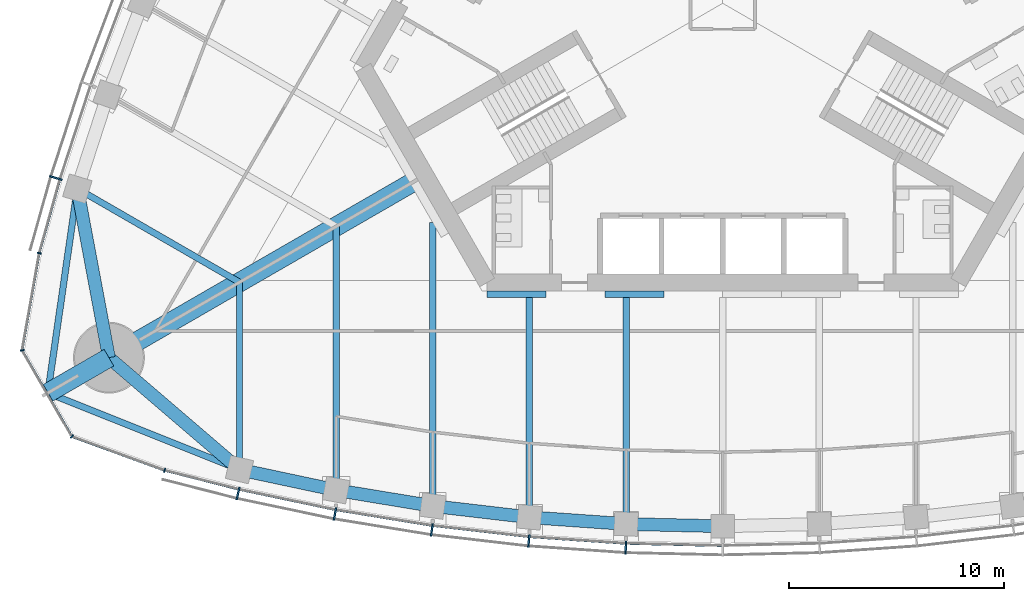
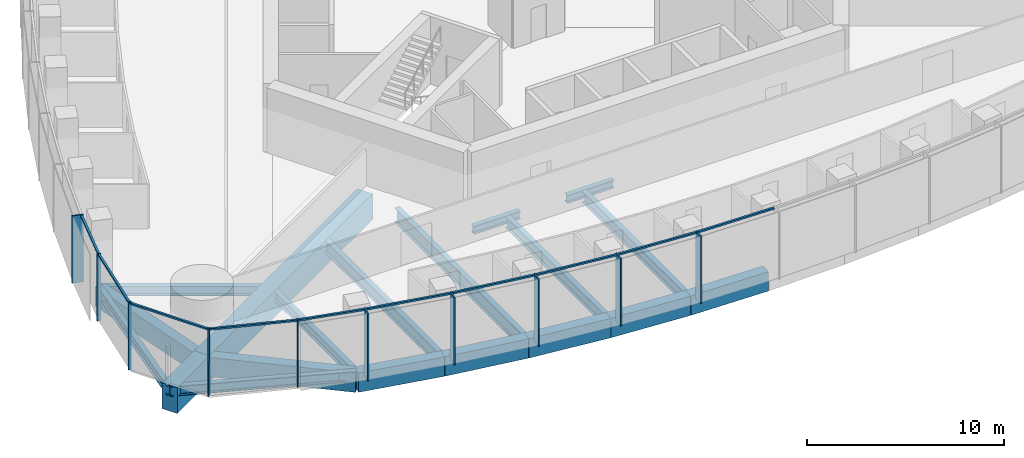
# One storey, part 2 of 20: 20 members, 19 beams, 3 elements without a shape of their own.
"""IFC4 building model written with IfcOpenShell, lengths in metres."""

from ifc_helpers import new_model, si_unit, direction, frame, origin, origin_2d, place, context, subcontext, project, spatial, rectangle, i_section, extrude, material, material_profile, profile_set, type_object, element, aggregate, save


model = new_model("IFC4")

# Units and contexts
model_context = context("Model", 3, precision=1e-05, world=origin(), true_north=direction((0.0, 1.0)))
body_context = subcontext(model_context, "Body", "Model", "MODEL_VIEW")
ifc_project = project(units=[si_unit("LENGTHUNIT", "METRE"), si_unit("AREAUNIT", "SQUARE_METRE"), si_unit("VOLUMEUNIT", "CUBIC_METRE"), si_unit("PLANEANGLEUNIT", "RADIAN"), si_unit("MASSUNIT", "GRAM", prefix="KILO")], contexts=[model_context])

# Site, building, storey
site_placement = place(None, origin())
site = spatial("IfcSite", under=ifc_project, at=site_placement, CompositionType="ELEMENT")
building_placement = place(site_placement, origin())
building = spatial("IfcBuilding", under=site, at=building_placement, Name="Trefoil Bronze Tower", CompositionType="ELEMENT")
storey_placement = place(building_placement, frame((0.0, 0.0, 219.10009765625)))
storey = spatial("IfcBuildingStorey", under=building, at=storey_placement, Name="L50", CompositionType="ELEMENT", Elevation=219.10009765625)

# Curtain wall, members
ifc_material_1 = material(Name="Tinted solar-control glass", Category="glass")
curtain_wall_type_1 = type_object("IfcCurtainWallType", Name="Bronze office curtain wall", PredefinedType="USERDEFINED", material=ifc_material_1)
curtain_wall_1_placement = place(storey_placement, origin())
curtain_wall_1 = element("IfcCurtainWall", 1, at=curtain_wall_1_placement, inside=storey, type_object=curtain_wall_type_1, Name="CW-A L50 F1", ObjectType="CURTAIN WALL", PredefinedType="USERDEFINED")
ifc_material_2 = material(Name="Bronze-finish aluminium", Category="aluminium")
ifc_material_profile_1 = material_profile(ifc_material_2, rectangle(XDim=0.60009765625, YDim=0.080078125, at=origin_2d()), Name="CW-A mullion")
ifc_profile_set_1 = profile_set([ifc_material_profile_1], Name="Bronze-finish aluminium")
member_type_1 = type_object("IfcMemberType", Name="Bronze office curtain wall mullion", PredefinedType="MULLION", material=ifc_profile_set_1)
member_1_placement = place(storey_placement, frame((-22.568115234375, -22.82421875, 0.0), z_axis=(0.0, 0.0, 1.0), x_axis=(0.227082662569, 0.973875487093, 0.0)))
member_1 = element("IfcMember", 2, at=member_1_placement, type_object=member_type_1, Name="CW-A L50 F1 mullion 2", PredefinedType="MULLION", context=body_context, shape_type="SweptSolid", body=[
    extrude(rectangle(XDim=0.60009765625, YDim=0.080078125, at=origin_2d()), origin(), (0.0, 0.0, 1.0), 4.179931640625),
])
member_2_placement = place(storey_placement, frame((-18.05517578125, -23.77783203125, 0.0), z_axis=(0.0, 0.0, 1.0), x_axis=(0.183825368167, 0.982958917767, 0.0)))
member_2 = element("IfcMember", 3, at=member_2_placement, type_object=member_type_1, Name="CW-A L50 F1 mullion 3", PredefinedType="MULLION", context=body_context, shape_type="SweptSolid", body=[
    extrude(rectangle(XDim=0.60009765625, YDim=0.080078125, at=origin_2d()), origin(), (0.0, 0.0, 1.0), 4.179931640625),
])
member_3_placement = place(storey_placement, frame((-13.541259765625, -24.51318359375, 0.0), z_axis=(0.0, 0.0, 1.0), x_axis=(0.137867887204, 0.990450627582, 0.0)))
member_3 = element("IfcMember", 4, at=member_3_placement, type_object=member_type_1, Name="CW-A L50 F1 mullion 4", PredefinedType="MULLION", context=body_context, shape_type="SweptSolid", body=[
    extrude(rectangle(XDim=0.60009765625, YDim=0.080078125, at=origin_2d()), origin(), (0.0, 0.0, 1.0), 4.179931640625),
])
member_4_placement = place(storey_placement, frame((-9.027587890625, -25.03515625, 0.0), z_axis=(0.0, 0.0, 1.0), x_axis=(0.091911396394, 0.995767189263, 0.0)))
member_4 = element("IfcMember", 5, at=member_4_placement, type_object=member_type_1, Name="CW-A L50 F1 mullion 5", PredefinedType="MULLION", context=body_context, shape_type="SweptSolid", body=[
    extrude(rectangle(XDim=0.60009765625, YDim=0.080078125, at=origin_2d()), origin(), (0.0, 0.0, 1.0), 4.179931640625),
])
member_5_placement = place(storey_placement, frame((-4.513671875, -25.346923828125, 0.0), z_axis=(0.0, 0.0, 1.0), x_axis=(0.045955542372, 0.998943485952, 0.0)))
member_5 = element("IfcMember", 6, at=member_5_placement, type_object=member_type_1, Name="CW-A L50 F1 mullion 6", PredefinedType="MULLION", context=body_context, shape_type="SweptSolid", body=[
    extrude(rectangle(XDim=0.60009765625, YDim=0.080078125, at=origin_2d()), origin(), (0.0, 0.0, 1.0), 4.179931640625),
])

# Curtain wall, member
curtain_wall_2_placement = place(storey_placement, origin())
curtain_wall_2 = element("IfcCurtainWall", 7, at=curtain_wall_2_placement, inside=storey, type_object=curtain_wall_type_1, Name="CW-A L50 F3", ObjectType="CURTAIN WALL", PredefinedType="USERDEFINED")
member_6_placement = place(storey_placement, frame((-31.05029296875, -8.132568359375, 0.0), z_axis=(0.0, 0.0, 1.0), x_axis=(0.95694224323, -0.290278389002, 0.0)))
member_6 = element("IfcMember", 8, at=member_6_placement, type_object=member_type_1, Name="CW-A L50 F3 mullion 12", PredefinedType="MULLION", context=body_context, shape_type="SweptSolid", body=[
    extrude(rectangle(XDim=0.60009765625, YDim=0.080078125, at=origin_2d()), origin(), (0.0, 0.0, 1.0), 4.179931640625),
])

# Member
ifc_material_3 = material(Name="Bronze-finish aluminium", Category="aluminium")
ifc_material_profile_2 = material_profile(ifc_material_3, rectangle(XDim=0.1201171875, YDim=0.10009765625, at=origin_2d()), Name="CW-A transom")
ifc_profile_set_2 = profile_set([ifc_material_profile_2], Name="Bronze-finish aluminium")
member_type_2 = type_object("IfcMemberType", Name="Bronze office curtain wall transom", PredefinedType="USERDEFINED", material=ifc_profile_set_2)
member_7_placement = place(storey_placement, frame((-25.93896484375, -21.75732421875, 4.1298828125), z_axis=(0.968935220916, -0.247314653162, 0.0), x_axis=(0.247314653162, 0.968935220916, 0.0)))
member_7 = element("IfcMember", 9, at=member_7_placement, type_object=member_type_2, Name="CW-A L50 F1 transom 1", ObjectType="TRANSOM", PredefinedType="USERDEFINED", context=body_context, shape_type="SweptSolid", body=[
    extrude(rectangle(XDim=0.1201171875, YDim=0.10009765625, at=origin_2d()), origin(), (0.0, 0.0, 1.0), 3.483642578125),
])

member_8_placement = place(storey_placement, frame((-22.4814453125, -22.63818359375, 4.1298828125), z_axis=(0.978395325657, -0.20674280334, 0.0), x_axis=(0.20674280334, 0.978395325657, 0.0)))
member_8 = element("IfcMember", 10, at=member_8_placement, type_object=member_type_2, Name="CW-A L50 F1 transom 2", ObjectType="TRANSOM", PredefinedType="USERDEFINED", context=body_context, shape_type="SweptSolid", body=[
    extrude(rectangle(XDim=0.1201171875, YDim=0.10009765625, at=origin_2d()), origin(), (0.0, 0.0, 1.0), 4.519287109375),
])

member_9_placement = place(storey_placement, frame((-17.9765625, -23.588134765625, 4.1298828125), z_axis=(0.986988367046, -0.160791676761, 0.0), x_axis=(0.160791676761, 0.986988367046, 0.0)))
member_9 = element("IfcMember", 11, at=member_9_placement, type_object=member_type_2, Name="CW-A L50 F1 transom 3", ObjectType="TRANSOM", PredefinedType="USERDEFINED", context=body_context, shape_type="SweptSolid", body=[
    extrude(rectangle(XDim=0.1201171875, YDim=0.10009765625, at=origin_2d()), origin(), (0.0, 0.0, 1.0), 4.479248046875),
])

member_10_placement = place(storey_placement, frame((-13.4716796875, -24.320068359375, 4.1298828125), z_axis=(0.993384885596, -0.114832352013, 0.0), x_axis=(0.114832352013, 0.993384885596, 0.0)))
member_10 = element("IfcMember", 12, at=member_10_placement, type_object=member_type_2, Name="CW-A L50 F1 transom 4", ObjectType="TRANSOM", PredefinedType="USERDEFINED", context=body_context, shape_type="SweptSolid", body=[
    extrude(rectangle(XDim=0.1201171875, YDim=0.10009765625, at=origin_2d()), origin(), (0.0, 0.0, 1.0), 4.449951171875),
])

member_11_placement = place(storey_placement, frame((-8.967041015625, -24.8388671875, 4.1298828125), z_axis=(0.997621320987, -0.06893257512, 0.0), x_axis=(0.06893257512, 0.997621320987, 0.0)))
member_11 = element("IfcMember", 13, at=member_11_placement, type_object=member_type_2, Name="CW-A L50 F1 transom 5", ObjectType="TRANSOM", PredefinedType="USERDEFINED", context=body_context, shape_type="SweptSolid", body=[
    extrude(rectangle(XDim=0.1201171875, YDim=0.10009765625, at=origin_2d()), origin(), (0.0, 0.0, 1.0), 4.4306640625),
])

member_12_placement = place(storey_placement, frame((-4.46240234375, -25.148193359375, 4.1298828125), z_axis=(0.999736131416, -0.022971015226, 0.0), x_axis=(0.022971015226, 0.999736131416, 0.0)))
member_12 = element("IfcMember", 14, at=member_12_placement, type_object=member_type_2, Name="CW-A L50 F1 transom 6", ObjectType="TRANSOM", PredefinedType="USERDEFINED", context=body_context, shape_type="SweptSolid", body=[
    extrude(rectangle(XDim=0.1201171875, YDim=0.10009765625, at=origin_2d()), origin(), (0.0, 0.0, 1.0), 4.42138671875),
])

aggregate(curtain_wall_1, [member_1, member_2, member_3, member_4, member_5, member_7, member_8, member_9, member_10, member_11, member_12])

member_13_placement = place(storey_placement, frame((-30.870361328125, -8.23095703125, 4.1298828125), z_axis=(-0.270284880437, -0.962780392097, 0.0), x_axis=(0.962780392097, -0.270284880437, 0.0)))
member_13 = element("IfcMember", 15, at=member_13_placement, type_object=member_type_2, Name="CW-A L50 F3 transom 12", ObjectType="TRANSOM", PredefinedType="USERDEFINED", context=body_context, shape_type="SweptSolid", body=[
    extrude(rectangle(XDim=0.1201171875, YDim=0.10009765625, at=origin_2d()), origin(), (0.0, 0.0, 1.0), 3.48388671875),
])

aggregate(curtain_wall_2, [member_6, member_13])

# Curtain wall, members
ifc_material_4 = material(Name="Tinted solar-control glass", Category="glass")
curtain_wall_type_2 = type_object("IfcCurtainWallType", Name="Bronze rounded corner curtain wall", PredefinedType="USERDEFINED", material=ifc_material_4)
curtain_wall_3_placement = place(storey_placement, origin())
curtain_wall_3 = element("IfcCurtainWall", 16, at=curtain_wall_3_placement, inside=storey, type_object=curtain_wall_type_2, Name="CW-B L50 K3", ObjectType="CURTAIN WALL", PredefinedType="USERDEFINED")
ifc_material_5 = material(Name="Bronze-finish aluminium", Category="aluminium")
ifc_material_profile_3 = material_profile(ifc_material_5, rectangle(XDim=0.199951171875, YDim=0.06005859375, at=origin_2d()), Name="CW-B mullion")
ifc_profile_set_3 = profile_set([ifc_material_profile_3], Name="Bronze-finish aluminium")
member_type_3 = type_object("IfcMemberType", Name="Bronze rounded corner curtain wall mullion", PredefinedType="MULLION", material=ifc_profile_set_3)
member_14_placement = place(storey_placement, frame((-31.824951171875, -11.63330078125, 0.0), z_axis=(0.0, 0.0, 1.0), x_axis=(0.984807753012, -0.173648177667, 0.0)))
member_14 = element("IfcMember", 17, at=member_14_placement, type_object=member_type_3, Name="CW-B L50 K3 mullion 1", PredefinedType="MULLION", context=body_context, shape_type="SweptSolid", body=[
    extrude(rectangle(XDim=0.199951171875, YDim=0.06005859375, at=origin_2d()), origin(), (0.0, 0.0, 1.0), 4.179931640625),
])
member_15_placement = place(storey_placement, frame((-32.616943359375, -16.158935546875, 0.0), z_axis=(0.0, 0.0, 1.0), x_axis=(0.984807753012, 0.173648177667, 0.0)))
member_15 = element("IfcMember", 18, at=member_15_placement, type_object=member_type_3, Name="CW-B L50 K3 mullion 2", PredefinedType="MULLION", context=body_context, shape_type="SweptSolid", body=[
    extrude(rectangle(XDim=0.199951171875, YDim=0.06005859375, at=origin_2d()), origin(), (0.0, 0.0, 1.0), 4.179931640625),
])
member_16_placement = place(storey_placement, frame((-30.302490234375, -20.16748046875, 0.0), z_axis=(0.0, 0.0, 1.0), x_axis=(0.642787609687, 0.766044443119, 0.0)))
member_16 = element("IfcMember", 19, at=member_16_placement, type_object=member_type_3, Name="CW-B L50 K3 mullion 3", PredefinedType="MULLION", context=body_context, shape_type="SweptSolid", body=[
    extrude(rectangle(XDim=0.199951171875, YDim=0.06005859375, at=origin_2d()), origin(), (0.0, 0.0, 1.0), 4.179931640625),
])
member_17_placement = place(storey_placement, frame((-25.9873046875, -21.74462890625, 0.0), z_axis=(0.0, 0.0, 1.0), x_axis=(0.342020143326, 0.939692620786, 0.0)))
member_17 = element("IfcMember", 20, at=member_17_placement, type_object=member_type_3, Name="CW-B L50 K3 mullion 4", PredefinedType="MULLION", context=body_context, shape_type="SweptSolid", body=[
    extrude(rectangle(XDim=0.199951171875, YDim=0.06005859375, at=origin_2d()), origin(), (0.0, 0.0, 1.0), 4.179931640625),
])
ifc_material_6 = material(Name="Bronze-finish aluminium", Category="aluminium")
ifc_material_profile_4 = material_profile(ifc_material_6, rectangle(XDim=0.1201171875, YDim=0.10009765625, at=origin_2d()), Name="CW-B transom")
ifc_profile_set_4 = profile_set([ifc_material_profile_4], Name="Bronze-finish aluminium")
member_type_4 = type_object("IfcMemberType", Name="Bronze rounded corner curtain wall transom", PredefinedType="USERDEFINED", material=ifc_profile_set_4)
member_18_placement = place(storey_placement, frame((-31.830078125, -11.662841796875, 4.1298828125), z_axis=(-0.173655350028, -0.984806488304, 0.0), x_axis=(0.984806488304, -0.173655350028, 0.0)))
member_18 = element("IfcMember", 21, at=member_18_placement, type_object=member_type_4, Name="CW-B L50 K3 transom 1", ObjectType="TRANSOM", PredefinedType="USERDEFINED", context=body_context, shape_type="SweptSolid", body=[
    extrude(rectangle(XDim=0.1201171875, YDim=0.10009765625, at=origin_2d()), origin(), (0.0, 0.0, 1.0), 4.500244140625),
])
member_19_placement = place(storey_placement, frame((-32.590087890625, -16.217529296875, 4.1298828125), z_axis=(0.500007335828, -0.866021168401, 0.0), x_axis=(0.866021168401, 0.500007335828, 0.0)))
member_19 = element("IfcMember", 22, at=member_19_placement, type_object=member_type_4, Name="CW-B L50 K3 transom 2", ObjectType="TRANSOM", PredefinedType="USERDEFINED", context=body_context, shape_type="SweptSolid", body=[
    extrude(rectangle(XDim=0.1201171875, YDim=0.10009765625, at=origin_2d()), origin(), (0.0, 0.0, 1.0), 4.50048828125),
])
member_20_placement = place(storey_placement, frame((-30.244140625, -20.195068359375, 4.1298828125), z_axis=(0.939680910753, -0.342052314664, 0.0), x_axis=(0.342052314664, 0.939680910753, 0.0)))
member_20 = element("IfcMember", 23, at=member_20_placement, type_object=member_type_4, Name="CW-B L50 K3 transom 3", ObjectType="TRANSOM", PredefinedType="USERDEFINED", context=body_context, shape_type="SweptSolid", body=[
    extrude(rectangle(XDim=0.1201171875, YDim=0.10009765625, at=origin_2d()), origin(), (0.0, 0.0, 1.0), 4.500244140625),
])
aggregate(curtain_wall_3, [member_14, member_15, member_16, member_17, member_18, member_19, member_20])

# Beams
ifc_material_7 = material(Name="Steel C355", Category="steel")
ifc_material_profile_5 = material_profile(ifc_material_7, i_section(OverallWidth=0.300048828125, OverallDepth=0.5, WebThickness=0.014404296875, FlangeThickness=0.028076171875, FilletRadius=0.027099609375, at=origin_2d()), Name="HEB 500")
ifc_profile_set_5 = profile_set([ifc_material_profile_5], Name="Steel C355")
beam_type_1 = type_object("IfcBeamType", Name="Core seat beam HEB 500", PredefinedType="BEAM", material=ifc_profile_set_5)
for number, where, z_axis, x_axis, name in (
    (24, (-10.9697265625, -13.550048828125, -0.4501953125), (1.0, 0.0, 0.0), (0.0, 1.0, 0.0), "Core seat beam F1/-2 L50"),
    (25, (-5.48486328125, -13.550048828125, -0.4501953125), (1.0, 0.0, 0.0), (0.0, 1.0, 0.0), "Core seat beam F1/-1 L50"),
):
    element("IfcBeam", number, at=place(storey_placement, frame(where, z_axis=z_axis, x_axis=x_axis)), inside=storey, type_object=beam_type_1, Name=name, PredefinedType="BEAM", context=body_context, shape_type="SweptSolid", body=[
        extrude(i_section(OverallWidth=0.300048828125, OverallDepth=0.5, WebThickness=0.014404296875, FlangeThickness=0.028076171875, FilletRadius=0.027099609375, at=origin_2d()), origin(), (0.0, 0.0, 1.0), 2.742431640625),
    ])
ifc_material_8 = material(Name="Concrete B80", Category="concrete")
ifc_material_profile_6 = material_profile(ifc_material_8, rectangle(XDim=0.89990234375, YDim=1.60009765625, at=origin_2d()), Name="RC 900x1600")
ifc_profile_set_6 = profile_set([ifc_material_profile_6], Name="Concrete B80")
beam_type_2 = type_object("IfcBeamType", Name="Corner cantilever RC 900x1600", PredefinedType="BEAM", material=ifc_profile_set_6)
beam_1_placement = place(storey_placement, frame((-28.578857421875, -16.5, -1.0), z_axis=(-0.866016004958, -0.500016278891, 0.0), x_axis=(0.500016278891, -0.866016004958, 0.0)))
element("IfcBeam", 26, at=beam_1_placement, inside=storey, type_object=beam_type_2, Name="Corner cantilever K3 L50", PredefinedType="BEAM", context=body_context, shape_type="SweptSolid", body=[
    extrude(rectangle(XDim=0.89990234375, YDim=1.60009765625, at=origin_2d()), origin(), (0.0, 0.0, 1.0), 3.28466796875),
])
ifc_material_9 = material(Name="Steel C355", Category="steel")
ifc_material_profile_7 = material_profile(ifc_material_9, i_section(OverallWidth=0.300048828125, OverallDepth=0.60009765625, WebThickness=0.015380859375, FlangeThickness=0.030029296875, FilletRadius=0.027099609375, at=origin_2d()), Name="HEB 600")
ifc_profile_set_7 = profile_set([ifc_material_profile_7], Name="Steel C355")
beam_type_3 = type_object("IfcBeamType", Name="Corner edge beam HEB 600", PredefinedType="BEAM", material=ifc_profile_set_7)
for number, where, z_axis, x_axis, name in (
    (27, (-22.5, -21.71044921875, -0.5), (-0.92852048463, 0.371281173266, 0.0), (-0.371281173266, -0.92852048463, 0.0), "Corner edge beam F1B L50"),
    (28, (-30.052001953125, -8.63037109375, -0.5), (-0.142694489722, -0.989766781925, 0.0), (0.989766781925, -0.142694489722, 0.0), "Corner edge beam F3A L50"),
):
    element("IfcBeam", number, at=place(storey_placement, frame(where, z_axis=z_axis, x_axis=x_axis)), inside=storey, type_object=beam_type_3, Name=name, PredefinedType="BEAM", context=body_context, shape_type="SweptSolid", body=[
        extrude(i_section(OverallWidth=0.300048828125, OverallDepth=0.60009765625, WebThickness=0.015380859375, FlangeThickness=0.030029296875, FilletRadius=0.027099609375, at=origin_2d()), origin(), (0.0, 0.0, 1.0), 9.6103515625),
    ])
ifc_material_10 = material(Name="Concrete B80", Category="concrete")
ifc_material_profile_8 = material_profile(ifc_material_10, rectangle(XDim=0.89990234375, YDim=1.60009765625, at=origin_2d()), Name="RC 900x1600")
ifc_profile_set_8 = profile_set([ifc_material_profile_8], Name="Concrete B80")
beam_type_4 = type_object("IfcBeamType", Name="Corner girder RC 900x1600", PredefinedType="BEAM", material=ifc_profile_set_8)
beam_2_placement = place(storey_placement, frame((-14.202880859375, -8.199951171875, -1.0), z_axis=(-0.866023450265, -0.500003383579, 0.0), x_axis=(0.500003383579, -0.866023450265, 0.0)))
element("IfcBeam", 29, at=beam_2_placement, inside=storey, type_object=beam_type_4, Name="Corner girder K3 L50", PredefinedType="BEAM", context=body_context, shape_type="SweptSolid", body=[
    extrude(rectangle(XDim=0.89990234375, YDim=1.60009765625, at=origin_2d()), origin(), (0.0, 0.0, 1.0), 16.60009765625),
])
ifc_material_11 = material(Name="Concrete B80", Category="concrete")
ifc_material_profile_9 = material_profile(ifc_material_11, rectangle(XDim=0.60009765625, YDim=1.199951171875, at=origin_2d()), Name="RC 600x1200")
ifc_profile_set_9 = profile_set([ifc_material_profile_9], Name="Concrete B80")
beam_type_5 = type_object("IfcBeamType", Name="End spandrel beam RC 600x1200", PredefinedType="SPANDREL", material=ifc_profile_set_9)
for number, where, z_axis, x_axis, name in (
    (30, (-28.578857421875, -16.5, -0.800048828125), (0.759256602365, -0.650791373456, 0.0), (0.650791373456, 0.759256602365, 0.0), "Spandrel F1.1 L50"),
    (31, (-30.052001953125, -8.63037109375, -0.800048828125), (0.18399763073, -0.982926686933, 0.0), (0.982926686933, 0.18399763073, 0.0), "Spandrel F3.12 L50"),
):
    element("IfcBeam", number, at=place(storey_placement, frame(where, z_axis=z_axis, x_axis=x_axis)), inside=storey, type_object=beam_type_5, Name=name, PredefinedType="SPANDREL", context=body_context, shape_type="SweptSolid", body=[
        extrude(rectangle(XDim=0.60009765625, YDim=1.199951171875, at=origin_2d()), origin(), (0.0, 0.0, 1.0), 8.00634765625),
    ])
ifc_material_12 = material(Name="Steel C355", Category="steel")
ifc_material_profile_10 = material_profile(ifc_material_12, i_section(OverallWidth=0.300048828125, OverallDepth=0.590087890625, WebThickness=0.012939453125, FlangeThickness=0.02490234375, FilletRadius=0.027099609375, at=origin_2d()), Name="HEA 600")
ifc_profile_set_10 = profile_set([ifc_material_profile_10], Name="Steel C355")
beam_type_6 = type_object("IfcBeamType", Name="Floor beam HEA 600", PredefinedType="BEAM", material=ifc_profile_set_10)
beam_3_placement = place(storey_placement, frame((-22.5, -21.71044921875, -0.4951171875), z_axis=(0.0, 1.0, 0.0), x_axis=(-1.0, 0.0, 0.0)))
element("IfcBeam", 32, at=beam_3_placement, inside=storey, type_object=beam_type_6, Name="Floor beam F1/-5 L50", PredefinedType="BEAM", context=body_context, shape_type="SweptSolid", body=[
    extrude(i_section(OverallWidth=0.300048828125, OverallDepth=0.590087890625, WebThickness=0.012939453125, FlangeThickness=0.02490234375, FilletRadius=0.027099609375, at=origin_2d()), origin(), (0.0, 0.0, 1.0), 8.719970703125),
])
beam_4_placement = place(storey_placement, frame((-30.052001953125, -8.63037109375, -0.4951171875), z_axis=(0.866027535932, -0.499996306993, 0.0), x_axis=(0.499996306993, 0.866027535932, 0.0)))
element("IfcBeam", 33, at=beam_4_placement, inside=storey, type_object=beam_type_6, Name="Floor beam F3/+5 L50", PredefinedType="BEAM", context=body_context, shape_type="SweptSolid", body=[
    extrude(i_section(OverallWidth=0.300048828125, OverallDepth=0.590087890625, WebThickness=0.012939453125, FlangeThickness=0.02490234375, FilletRadius=0.027099609375, at=origin_2d()), origin(), (0.0, 0.0, 1.0), 8.72021484375),
])
ifc_material_13 = material(Name="Steel C355", Category="steel")
ifc_material_profile_11 = material_profile(ifc_material_13, i_section(OverallWidth=0.300048828125, OverallDepth=0.699951171875, WebThickness=0.01708984375, FlangeThickness=0.031982421875, FilletRadius=0.027099609375, at=origin_2d()), Name="HEB 700")
ifc_profile_set_11 = profile_set([ifc_material_profile_11], Name="Steel C355")
beam_type_7 = type_object("IfcBeamType", Name="Floor beam HEB 700", PredefinedType="BEAM", material=ifc_profile_set_11)
beam_5_placement = place(storey_placement, frame((-9.0, -23.932861328125, -0.550048828125), z_axis=(0.0, 1.0, 0.0), x_axis=(-1.0, 0.0, 0.0)))
element("IfcBeam", 34, at=beam_5_placement, inside=storey, type_object=beam_type_7, Name="Floor beam F1/-2 L50", PredefinedType="BEAM", context=body_context, shape_type="SweptSolid", body=[
    extrude(i_section(OverallWidth=0.300048828125, OverallDepth=0.699951171875, WebThickness=0.01708984375, FlangeThickness=0.031982421875, FilletRadius=0.027099609375, at=origin_2d()), origin(), (0.0, 0.0, 1.0), 10.23291015625),
])
beam_6_placement = place(storey_placement, frame((-4.5, -24.246337890625, -0.550048828125), z_axis=(0.0, 1.0, 0.0), x_axis=(-1.0, 0.0, 0.0)))
element("IfcBeam", 35, at=beam_6_placement, inside=storey, type_object=beam_type_7, Name="Floor beam F1/-1 L50", PredefinedType="BEAM", context=body_context, shape_type="SweptSolid", body=[
    extrude(i_section(OverallWidth=0.300048828125, OverallDepth=0.699951171875, WebThickness=0.01708984375, FlangeThickness=0.031982421875, FilletRadius=0.027099609375, at=origin_2d()), origin(), (0.0, 0.0, 1.0), 10.54638671875),
])
ifc_material_14 = material(Name="Steel C355", Category="steel")
ifc_material_profile_12 = material_profile(ifc_material_14, i_section(OverallWidth=0.300048828125, OverallDepth=0.800048828125, WebThickness=0.017578125, FlangeThickness=0.032958984375, FilletRadius=0.030029296875, at=origin_2d()), Name="HEB 800")
ifc_profile_set_12 = profile_set([ifc_material_profile_12], Name="Steel C355")
beam_type_8 = type_object("IfcBeamType", Name="Floor beam HEB 800", PredefinedType="BEAM", material=ifc_profile_set_12)
beam_7_placement = place(storey_placement, frame((-18.0, -22.6689453125, -0.60009765625), z_axis=(0.0, 1.0, 0.0), x_axis=(-1.0, 0.0, 0.0)))
element("IfcBeam", 36, at=beam_7_placement, inside=storey, type_object=beam_type_8, Name="Floor beam F1/-4 L50", PredefinedType="BEAM", context=body_context, shape_type="SweptSolid", body=[
    extrude(i_section(OverallWidth=0.300048828125, OverallDepth=0.800048828125, WebThickness=0.017578125, FlangeThickness=0.032958984375, FilletRadius=0.030029296875, at=origin_2d()), origin(), (0.0, 0.0, 1.0), 12.276611328125),
])
ifc_material_15 = material(Name="Steel C355", Category="steel")
ifc_material_profile_13 = material_profile(ifc_material_15, i_section(OverallWidth=0.300048828125, OverallDepth=0.89990234375, WebThickness=0.0185546875, FlangeThickness=0.034912109375, FilletRadius=0.030029296875, at=origin_2d()), Name="HEB 900")
ifc_profile_set_13 = profile_set([ifc_material_profile_13], Name="Steel C355")
beam_type_9 = type_object("IfcBeamType", Name="Floor beam HEB 900", PredefinedType="BEAM", material=ifc_profile_set_13)
beam_8_placement = place(storey_placement, frame((-13.5, -23.408447265625, -0.650146484375), z_axis=(0.0, 1.0, 0.0), x_axis=(-1.0, 0.0, 0.0)))
element("IfcBeam", 37, at=beam_8_placement, inside=storey, type_object=beam_type_9, Name="Floor beam F1/-3 L50", PredefinedType="BEAM", context=body_context, shape_type="SweptSolid", body=[
    extrude(i_section(OverallWidth=0.300048828125, OverallDepth=0.89990234375, WebThickness=0.0185546875, FlangeThickness=0.034912109375, FilletRadius=0.030029296875, at=origin_2d()), origin(), (0.0, 0.0, 1.0), 13.191162109375),
])
ifc_material_16 = material(Name="Concrete B80", Category="concrete")
ifc_material_profile_14 = material_profile(ifc_material_16, rectangle(XDim=0.60009765625, YDim=1.199951171875, at=origin_2d()), Name="RC 600x1200")
ifc_profile_set_14 = profile_set([ifc_material_profile_14], Name="Concrete B80")
beam_type_10 = type_object("IfcBeamType", Name="Spandrel beam RC 600x1200", PredefinedType="SPANDREL", material=ifc_profile_set_14)
beam_9_placement = place(storey_placement, frame((-22.5, -21.71044921875, -0.800048828125), z_axis=(0.978059483036, -0.208325820877, 0.0), x_axis=(0.208325820877, 0.978059483036, 0.0)))
element("IfcBeam", 38, at=beam_9_placement, inside=storey, type_object=beam_type_10, Name="Spandrel F1.2 L50", PredefinedType="SPANDREL", context=body_context, shape_type="SweptSolid", body=[
    extrude(rectangle(XDim=0.60009765625, YDim=1.199951171875, at=origin_2d()), origin(), (0.0, 0.0, 1.0), 4.600830078125),
])
beam_10_placement = place(storey_placement, frame((-18.0, -22.6689453125, -0.800048828125), z_axis=(0.986764681833, -0.162158757664, 0.0), x_axis=(0.162158757664, 0.986764681833, 0.0)))
element("IfcBeam", 39, at=beam_10_placement, inside=storey, type_object=beam_type_10, Name="Spandrel F1.3 L50", PredefinedType="SPANDREL", context=body_context, shape_type="SweptSolid", body=[
    extrude(rectangle(XDim=0.60009765625, YDim=1.199951171875, at=origin_2d()), origin(), (0.0, 0.0, 1.0), 4.560302734375),
])
beam_11_placement = place(storey_placement, frame((-13.5, -23.408447265625, -0.800048828125), z_axis=(0.993278017132, -0.115753102257, 0.0), x_axis=(0.115753102257, 0.993278017132, 0.0)))
element("IfcBeam", 40, at=beam_11_placement, inside=storey, type_object=beam_type_10, Name="Spandrel F1.4 L50", PredefinedType="SPANDREL", context=body_context, shape_type="SweptSolid", body=[
    extrude(rectangle(XDim=0.60009765625, YDim=1.199951171875, at=origin_2d()), origin(), (0.0, 0.0, 1.0), 4.530517578125),
])
beam_12_placement = place(storey_placement, frame((-9.0, -23.932861328125, -0.800048828125), z_axis=(0.997582435881, -0.069493047291, 0.0), x_axis=(0.069493047291, 0.997582435881, 0.0)))
element("IfcBeam", 41, at=beam_12_placement, inside=storey, type_object=beam_type_10, Name="Spandrel F1.5 L50", PredefinedType="SPANDREL", context=body_context, shape_type="SweptSolid", body=[
    extrude(rectangle(XDim=0.60009765625, YDim=1.199951171875, at=origin_2d()), origin(), (0.0, 0.0, 1.0), 4.510986328125),
])
beam_13_placement = place(storey_placement, frame((-4.5, -24.246337890625, -0.800048828125), z_axis=(0.999731770792, -0.023160018779, 0.0), x_axis=(0.023160018779, 0.999731770792, 0.0)))
element("IfcBeam", 42, at=beam_13_placement, inside=storey, type_object=beam_type_10, Name="Spandrel F1.6 L50", PredefinedType="SPANDREL", context=body_context, shape_type="SweptSolid", body=[
    extrude(rectangle(XDim=0.60009765625, YDim=1.199951171875, at=origin_2d()), origin(), (0.0, 0.0, 1.0), 4.501220703125),
])

save(model, "model.ifc")
